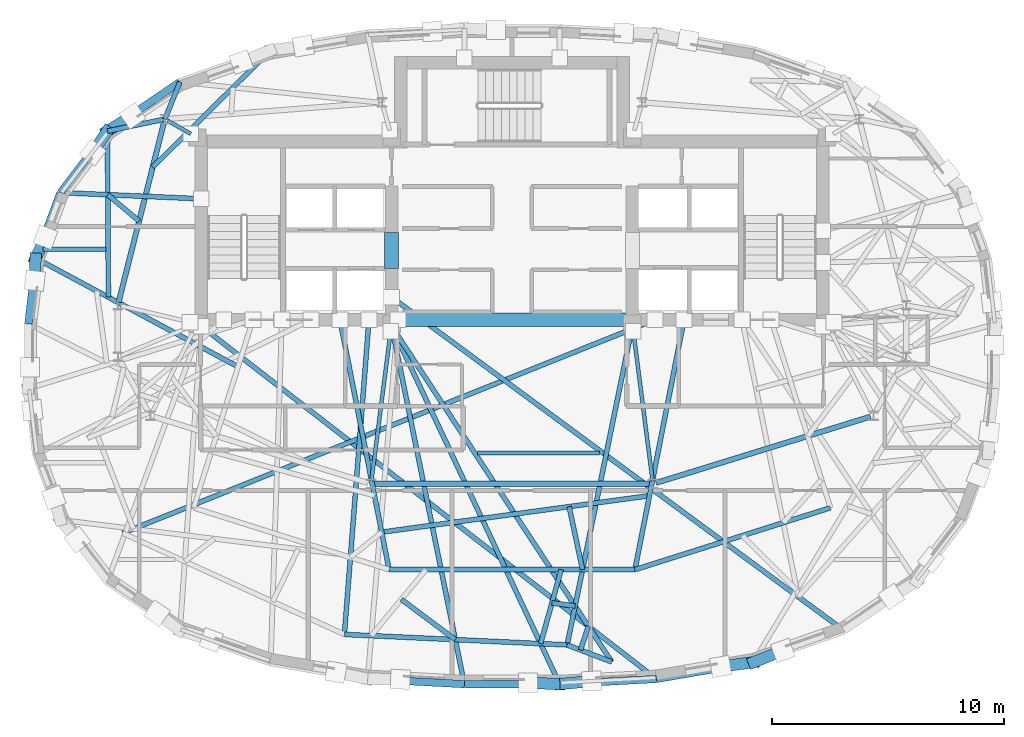
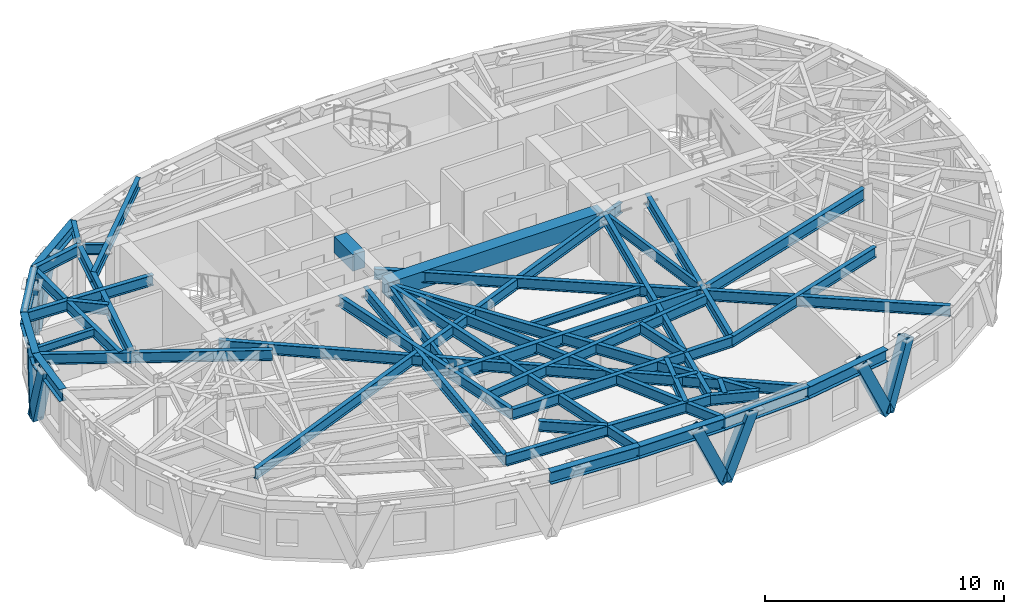
# One storey, part 2 of 12: 45 beams, 8 members.
"""IFC4 building model written with IfcOpenShell, lengths in metres."""

from ifc_helpers import new_model, si_unit, direction, frame, origin, origin_2d, place, context, subcontext, project, spatial, rectangle, hollow_rectangle, i_section, extrude, material, material_profile, profile_set, type_object, element, save


model = new_model("IFC4")

# Units and contexts
model_context = context("Model", 3, precision=1e-05, world=origin(), true_north=direction((0.0, 1.0)))
body_context = subcontext(model_context, "Body", "Model", "MODEL_VIEW")
ifc_project = project(units=[si_unit("LENGTHUNIT", "METRE"), si_unit("AREAUNIT", "SQUARE_METRE"), si_unit("VOLUMEUNIT", "CUBIC_METRE"), si_unit("PLANEANGLEUNIT", "RADIAN"), si_unit("MASSUNIT", "GRAM", prefix="KILO")], contexts=[model_context])

# Site, building, storey
site_placement = place(None, origin())
site = spatial("IfcSite", under=ifc_project, at=site_placement, CompositionType="ELEMENT")
building_placement = place(site_placement, origin())
building = spatial("IfcBuilding", under=site, at=building_placement, Name="Keldmark Tower", CompositionType="ELEMENT")
storey_placement = place(building_placement, frame((0.0, 0.0, 254.10009765625)))
storey = spatial("IfcBuildingStorey", under=building, at=storey_placement, Name="L72", CompositionType="ELEMENT", Elevation=254.10009765625)

# Beams
ifc_material_1 = material(Name="Steel ASTM A992 Grade 50", Category="steel")
ifc_material_profile_1 = material_profile(ifc_material_1, i_section(OverallWidth=0.177978515625, OverallDepth=0.403076171875, WebThickness=0.007568359375, FlangeThickness=0.010986328125, at=origin_2d()), Name="W16X36")
ifc_profile_set_1 = profile_set([ifc_material_profile_1], Name="Steel ASTM A992 Grade 50")
beam_type_1 = type_object("IfcBeamType", Name="Composite Floor Joist W16X36", PredefinedType="JOIST", material=ifc_profile_set_1)
beam_1_placement = place(storey_placement, frame((-1.4912109375, -4.179931640625, 2.768310546875), z_axis=(1.0, 0.0, 0.0), x_axis=(0.0, 1.0, 0.0)))
element("IfcBeam", 1, at=beam_1_placement, inside=storey, type_object=beam_type_1, Name="L72 Composite Floor Joist J04", PredefinedType="JOIST", context=body_context, shape_type="SweptSolid", body=[
    extrude(i_section(OverallWidth=0.177978515625, OverallDepth=0.403076171875, WebThickness=0.007568359375, FlangeThickness=0.010986328125, at=origin_2d()), origin(), (0.0, 0.0, 1.0), 5.26025390625),
])
beam_2_placement = place(storey_placement, frame((-20.24951171875, 4.6201171875, 2.768310546875), z_axis=(1.0, 0.0, 0.0), x_axis=(0.0, 1.0, 0.0)))
element("IfcBeam", 2, at=beam_2_placement, inside=storey, type_object=beam_type_1, Name="L72 Composite Floor Joist J05", PredefinedType="JOIST", context=body_context, shape_type="SweptSolid", body=[
    extrude(i_section(OverallWidth=0.177978515625, OverallDepth=0.403076171875, WebThickness=0.007568359375, FlangeThickness=0.010986328125, at=origin_2d()), origin(), (0.0, 0.0, 1.0), 2.70751953125),
])
ifc_material_2 = material(Name="Concrete C50/60", Category="concrete")
ifc_material_profile_2 = material_profile(ifc_material_2, rectangle(XDim=0.60009765625, YDim=0.85009765625, at=origin_2d()), Name="RCB600X850")
ifc_profile_set_2 = profile_set([ifc_material_profile_2], Name="Concrete C50/60")
beam_type_2 = type_object("IfcBeamType", Name="Core Coupling Beam RCB600X850", PredefinedType="USERDEFINED", material=ifc_profile_set_2)
beam_3_placement = place(storey_placement, frame((-5.199951171875, 3.800048828125, 2.544921875), z_axis=(0.0, 1.0, 0.0), x_axis=(-1.0, 0.0, 0.0)))
element("IfcBeam", 3, at=beam_3_placement, inside=storey, type_object=beam_type_2, Name="L72 West Core Coupling Beam", ObjectType="COUPLING BEAM", PredefinedType="USERDEFINED", context=body_context, shape_type="SweptSolid", body=[
    extrude(rectangle(XDim=0.60009765625, YDim=0.85009765625, at=origin_2d()), origin(), (0.0, 0.0, 1.0), 1.550048828125),
])
beam_4_placement = place(storey_placement, frame((-5.199951171875, 1.574951171875, 2.544921875), z_axis=(1.0, 0.0, 0.0), x_axis=(0.0, 1.0, 0.0)))
element("IfcBeam", 4, at=beam_4_placement, inside=storey, type_object=beam_type_2, Name="L72 Central South Core Coupling Beam", ObjectType="COUPLING BEAM", PredefinedType="USERDEFINED", context=body_context, shape_type="SweptSolid", body=[
    extrude(rectangle(XDim=0.60009765625, YDim=0.85009765625, at=origin_2d()), origin(), (0.0, 0.0, 1.0), 10.39990234375),
])

# Members
ifc_material_3 = material(Name="Steel ASTM A572 Grade 50", Category="steel")
ifc_material_profile_3 = material_profile(ifc_material_3, hollow_rectangle(XDim=0.5, YDim=0.5, WallThickness=0.030029296875, at=origin_2d()), Name="BOX500X500X30")
ifc_profile_set_3 = profile_set([ifc_material_profile_3], Name="Steel ASTM A572 Grade 50")
member_type = type_object("IfcMemberType", Name="Diagrid Upper Brace BOX500X500X30", PredefinedType="BRACE", material=ifc_profile_set_3)
member_1_placement = place(storey_placement, frame((-17.4990234375, 9.711669921875, -0.260009765625), z_axis=(0.328433608383, 0.199944467239, 0.923121646862), x_axis=(-0.520000758543, 0.854165798375, 0.0)))
element("IfcMember", 5, at=member_1_placement, inside=storey, type_object=member_type, Name="L72 Perimeter Diagrid Brace 06B", PredefinedType="BRACE", context=body_context, shape_type="SweptSolid", body=[
    extrude(hollow_rectangle(XDim=0.5, YDim=0.5, WallThickness=0.030029296875, at=origin_2d()), origin(), (0.0, 0.0, 1.0), 3.368896484375),
])
member_2_placement = place(storey_placement, frame((-17.49072265625, 9.719970703125, -0.260009765625), z_axis=(-0.186097563926, -0.278702552016, 0.942174391607), x_axis=(0.831642601649, -0.555311248871, 0.0)))
element("IfcMember", 6, at=member_2_placement, inside=storey, type_object=member_type, Name="L72 Perimeter Diagrid Brace 07A", PredefinedType="BRACE", context=body_context, shape_type="SweptSolid", body=[
    extrude(hollow_rectangle(XDim=0.5, YDim=0.5, WallThickness=0.030029296875, at=origin_2d()), origin(), (0.0, 0.0, 1.0), 3.30078125),
])
member_3_placement = place(storey_placement, frame((-20.583984375, 4.216064453125, -0.260009765625), z_axis=(0.131007306033, 0.284159842512, 0.949784327976), x_axis=(-0.908133666455, 0.418680360001, 0.0)))
element("IfcMember", 7, at=member_3_placement, inside=storey, type_object=member_type, Name="L72 Perimeter Diagrid Brace 07B", PredefinedType="BRACE", context=body_context, shape_type="SweptSolid", body=[
    extrude(hollow_rectangle(XDim=0.5, YDim=0.5, WallThickness=0.030029296875, at=origin_2d()), origin(), (0.0, 0.0, 1.0), 3.274169921875),
])
member_4_placement = place(storey_placement, frame((-20.57958984375, 4.22705078125, -0.260009765625), z_axis=(-0.010425746481, -0.295071127019, 0.95541840772), x_axis=(0.999376373603, -0.03531095982, 0.0)))
element("IfcMember", 8, at=member_4_placement, inside=storey, type_object=member_type, Name="L72 Perimeter Diagrid Brace 08A", PredefinedType="BRACE", context=body_context, shape_type="SweptSolid", body=[
    extrude(hollow_rectangle(XDim=0.5, YDim=0.5, WallThickness=0.030029296875, at=origin_2d()), origin(), (0.0, 0.0, 1.0), 3.2548828125),
])
member_5_placement = place(storey_placement, frame((2.0712890625, -14.1591796875, -0.260009765625), z_axis=(-0.405407288918, 0.016001031049, 0.913996114378), x_axis=(-0.039438319915, -0.999222006824, 0.0)))
element("IfcMember", 9, at=member_5_placement, inside=storey, type_object=member_type, Name="L72 Perimeter Diagrid Brace 12B", PredefinedType="BRACE", context=body_context, shape_type="SweptSolid", body=[
    extrude(hollow_rectangle(XDim=0.5, YDim=0.5, WallThickness=0.030029296875, at=origin_2d()), origin(), (0.0, 0.0, 1.0), 3.402587890625),
])
member_6_placement = place(storey_placement, frame((2.0595703125, -14.1591796875, -0.260009765625), z_axis=(0.406603272819, 0.037980214063, 0.912815031577), x_axis=(-0.093003675651, 0.995665765363, 0.0)))
element("IfcMember", 10, at=member_6_placement, inside=storey, type_object=member_type, Name="L72 Perimeter Diagrid Brace 13A", PredefinedType="BRACE", context=body_context, shape_type="SweptSolid", body=[
    extrude(hollow_rectangle(XDim=0.5, YDim=0.5, WallThickness=0.030029296875, at=origin_2d()), origin(), (0.0, 0.0, 1.0), 3.406982421875),
])
member_7_placement = place(storey_placement, frame((10.445068359375, -13.213623046875, -0.260009765625), z_axis=(-0.417994718751, -0.055595006019, 0.906746717889), x_axis=(0.131843041976, -0.991270604972, 0.0)))
element("IfcMember", 11, at=member_7_placement, inside=storey, type_object=member_type, Name="L72 Perimeter Diagrid Brace 13B", PredefinedType="BRACE", context=body_context, shape_type="SweptSolid", body=[
    extrude(hollow_rectangle(XDim=0.5, YDim=0.5, WallThickness=0.030029296875, at=origin_2d()), origin(), (0.0, 0.0, 1.0), 3.4296875),
])
member_8_placement = place(storey_placement, frame((10.43408203125, -13.218017578125, -0.260009765625), z_axis=(0.373354455689, 0.149083007528, 0.915631316242), x_axis=(-0.370835706731, 0.928698486385, 0.0)))
element("IfcMember", 12, at=member_8_placement, inside=storey, type_object=member_type, Name="L72 Perimeter Diagrid Brace 14A", PredefinedType="BRACE", context=body_context, shape_type="SweptSolid", body=[
    extrude(hollow_rectangle(XDim=0.5, YDim=0.5, WallThickness=0.030029296875, at=origin_2d()), origin(), (0.0, 0.0, 1.0), 3.396484375),
])

# Beams
ifc_material_4 = material(Name="Steel ASTM A992 Grade 50", Category="steel")
ifc_material_profile_4 = material_profile(ifc_material_4, i_section(OverallWidth=0.22802734375, OverallDepth=0.60302734375, WebThickness=0.010498046875, FlangeThickness=0.014892578125, at=origin_2d()), Name="W24X68")
ifc_profile_set_4 = profile_set([ifc_material_profile_4], Name="Steel ASTM A992 Grade 50")
beam_type_3 = type_object("IfcBeamType", Name="Primary Floor Girder W24X68", PredefinedType="BEAM", material=ifc_profile_set_4)
beam_5_placement = place(storey_placement, frame((-15.030029296875, 10.10791015625, 2.66845703125), z_axis=(-0.244902129455, -0.969547805417, 0.0), x_axis=(0.969547805417, -0.244902129455, 0.0)))
element("IfcBeam", 13, at=beam_5_placement, inside=storey, type_object=beam_type_3, Name="L72 Floor Ring Girder FG-R05", PredefinedType="BEAM", context=body_context, shape_type="SweptSolid", body=[
    extrude(i_section(OverallWidth=0.22802734375, OverallDepth=0.60302734375, WebThickness=0.010498046875, FlangeThickness=0.014892578125, at=origin_2d()), origin(), (0.0, 0.0, 1.0), 8.008056640625),
])
beam_6_placement = place(storey_placement, frame((-5.949462890625, -5.512939453125, 2.66845703125), z_axis=(1.0, 0.0, 0.0), x_axis=(0.0, 1.0, 0.0)))
element("IfcBeam", 14, at=beam_6_placement, inside=storey, type_object=beam_type_3, Name="L72 Floor Ring Girder FG-R09", PredefinedType="BEAM", context=body_context, shape_type="SweptSolid", body=[
    extrude(i_section(OverallWidth=0.22802734375, OverallDepth=0.60302734375, WebThickness=0.010498046875, FlangeThickness=0.014892578125, at=origin_2d()), origin(), (0.0, 0.0, 1.0), 11.89892578125),
])
beam_7_placement = place(storey_placement, frame((6.223388671875, -5.471435546875, 2.66845703125), z_axis=(0.955383255089, 0.295368982622, 0.0), x_axis=(-0.295368982622, 0.955383255089, 0.0)))
element("IfcBeam", 15, at=beam_7_placement, inside=storey, type_object=beam_type_3, Name="L72 Floor Ring Girder FG-R10", PredefinedType="BEAM", context=body_context, shape_type="SweptSolid", body=[
    extrude(i_section(OverallWidth=0.22802734375, OverallDepth=0.60302734375, WebThickness=0.010498046875, FlangeThickness=0.014892578125, at=origin_2d()), origin(), (0.0, 0.0, 1.0), 9.69140625),
])
ifc_material_5 = material(Name="Steel ASTM A992 Grade 50", Category="steel")
ifc_material_profile_5 = material_profile(ifc_material_5, i_section(OverallWidth=0.166015625, OverallDepth=0.529052734375, WebThickness=0.009765625, FlangeThickness=0.013671875, at=origin_2d()), Name="W21X50")
ifc_profile_set_5 = profile_set([ifc_material_profile_5], Name="Steel ASTM A992 Grade 50")
beam_type_4 = type_object("IfcBeamType", Name="Radial Tie Girder W21X50", PredefinedType="BEAM", material=ifc_profile_set_5)
beam_8_placement = place(storey_placement, frame((-14.8740234375, 10.174560546875, 2.705322265625), z_axis=(0.869238046195, -0.494393789451, 0.0), x_axis=(0.494393789451, 0.869238046195, 0.0)))
element("IfcBeam", 16, at=beam_8_placement, inside=storey, type_object=beam_type_4, Name="L72 Floor Radial Girder FG-C05", PredefinedType="BEAM", context=body_context, shape_type="SweptSolid", body=[
    extrude(i_section(OverallWidth=0.166015625, OverallDepth=0.529052734375, WebThickness=0.009765625, FlangeThickness=0.013671875, at=origin_2d()), origin(), (0.0, 0.0, 1.0), 1.145751953125),
])
for number, where, z_axis, x_axis, name in (
    (17, (-6.071533203125, -5.3740234375, 2.705322265625), (0.127625044513, 0.991822488157, 0.0), (-0.991822488157, 0.127625044513, 0.0), "L72 Floor Radial Girder FG-C09"),
    (18, (6.071533203125, -5.3740234375, 2.705322265625), (-0.127625044513, 0.991822488157, 0.0), (-0.991822488157, -0.127625044513, 0.0), "L72 Floor Radial Girder FG-C10"),
):
    element("IfcBeam", number, at=place(storey_placement, frame(where, z_axis=z_axis, x_axis=x_axis)), inside=storey, type_object=beam_type_4, Name=name, PredefinedType="BEAM", context=body_context, shape_type="SweptSolid", body=[
        extrude(i_section(OverallWidth=0.166015625, OverallDepth=0.529052734375, WebThickness=0.009765625, FlangeThickness=0.013671875, at=origin_2d()), origin(), (0.0, 0.0, 1.0), 6.509765625),
    ])
ifc_material_6 = material(Name="Steel ASTM A992 Grade 50", Category="steel")
ifc_material_profile_6 = material_profile(ifc_material_6, i_section(OverallWidth=0.2099609375, OverallDepth=0.537109375, WebThickness=0.010986328125, FlangeThickness=0.017333984375, at=origin_2d()), Name="W21X68")
ifc_profile_set_6 = profile_set([ifc_material_profile_6], Name="Steel ASTM A992 Grade 50")
beam_type_5 = type_object("IfcBeamType", Name="Radial Tie Girder W21X68", PredefinedType="BEAM", material=ifc_profile_set_6)
beam_9_placement = place(storey_placement, frame((-7.43212890625, 1.574951171875, 2.701416015625), z_axis=(0.192943742562, -0.981209820684, 0.0), x_axis=(0.981209820684, 0.192943742562, 0.0)))
element("IfcBeam", 19, at=beam_9_placement, inside=storey, type_object=beam_type_5, Name="L72 Sub-Ring Step Girder STP1-M09", PredefinedType="BEAM", context=body_context, shape_type="SweptSolid", body=[
    extrude(i_section(OverallWidth=0.2099609375, OverallDepth=0.537109375, WebThickness=0.010986328125, FlangeThickness=0.017333984375, at=origin_2d()), origin(), (0.0, 0.0, 1.0), 10.999755859375),
])
beam_10_placement = place(storey_placement, frame((-5.628173828125, -7.59912109375, 2.701416015625), z_axis=(0.990836784774, 0.135064673169, 0.0), x_axis=(-0.135064673169, 0.990836784774, 0.0)))
element("IfcBeam", 20, at=beam_10_placement, inside=storey, type_object=beam_type_5, Name="L72 Framing Pin Header PH-003", PredefinedType="BEAM", context=body_context, shape_type="SweptSolid", body=[
    extrude(i_section(OverallWidth=0.2099609375, OverallDepth=0.537109375, WebThickness=0.010986328125, FlangeThickness=0.017333984375, at=origin_2d()), origin(), (0.0, 0.0, 1.0), 11.67333984375),
])
beam_11_placement = place(storey_placement, frame((7.43212890625, 1.574951171875, 2.701416015625), z_axis=(-0.192943742562, -0.981209820684, 0.0), x_axis=(0.981209820684, -0.192943742562, 0.0)))
element("IfcBeam", 21, at=beam_11_placement, inside=storey, type_object=beam_type_5, Name="L72 Sub-Ring Step Girder STP1-M10", PredefinedType="BEAM", context=body_context, shape_type="SweptSolid", body=[
    extrude(i_section(OverallWidth=0.2099609375, OverallDepth=0.537109375, WebThickness=0.010986328125, FlangeThickness=0.017333984375, at=origin_2d()), origin(), (0.0, 0.0, 1.0), 10.999755859375),
])
beam_12_placement = place(storey_placement, frame((-5.309814453125, -9.218017578125, 2.701416015625), z_axis=(1.0, 0.0, 0.0), x_axis=(0.0, 1.0, 0.0)))
element("IfcBeam", 22, at=beam_12_placement, inside=storey, type_object=beam_type_5, Name="L72 Perimeter Collector Ring Beam CRG1-M09", PredefinedType="BEAM", context=body_context, shape_type="SweptSolid", body=[
    extrude(i_section(OverallWidth=0.2099609375, OverallDepth=0.537109375, WebThickness=0.010986328125, FlangeThickness=0.017333984375, at=origin_2d()), origin(), (0.0, 0.0, 1.0), 10.61962890625),
])
beam_13_placement = place(storey_placement, frame((5.309814453125, -9.218017578125, 2.701416015625), z_axis=(0.953373693216, 0.301792314488, 0.0), x_axis=(-0.301792314488, 0.953373693216, 0.0)))
element("IfcBeam", 23, at=beam_13_placement, inside=storey, type_object=beam_type_5, Name="L72 Perimeter Collector Ring Beam CRG1-M10", PredefinedType="BEAM", context=body_context, shape_type="SweptSolid", body=[
    extrude(i_section(OverallWidth=0.2099609375, OverallDepth=0.537109375, WebThickness=0.010986328125, FlangeThickness=0.017333984375, at=origin_2d()), origin(), (0.0, 0.0, 1.0), 8.855712890625),
])
beam_14_placement = place(storey_placement, frame((6.1787109375, 1.574951171875, 2.701416015625), z_axis=(-0.9282304133, -0.372005779289, 0.0), x_axis=(0.372005779289, -0.9282304133, 0.0)))
element("IfcBeam", 24, at=beam_14_placement, inside=storey, type_object=beam_type_5, Name="L72 Sub-Ring Step Girder STP2-M08", PredefinedType="BEAM", context=body_context, shape_type="SweptSolid", body=[
    extrude(i_section(OverallWidth=0.2099609375, OverallDepth=0.537109375, WebThickness=0.010986328125, FlangeThickness=0.017333984375, at=origin_2d()), origin(), (0.0, 0.0, 1.0), 24.769287109375),
])
beam_15_placement = place(storey_placement, frame((-6.1787109375, 1.574951171875, 2.701416015625), z_axis=(-0.077850953757, -0.996965008914, 0.0), x_axis=(0.996965008914, -0.077850953757, 0.0)))
element("IfcBeam", 25, at=beam_15_placement, inside=storey, type_object=beam_type_5, Name="L72 Sub-Ring Step Girder STP2-M09", PredefinedType="BEAM", context=body_context, shape_type="SweptSolid", body=[
    extrude(i_section(OverallWidth=0.2099609375, OverallDepth=0.537109375, WebThickness=0.010986328125, FlangeThickness=0.017333984375, at=origin_2d()), origin(), (0.0, 0.0, 1.0), 13.632080078125),
])
beam_16_placement = place(storey_placement, frame((2.46826171875, -6.495361328125, 2.701416015625), z_axis=(0.208043372931, -0.978119601572, 0.0), x_axis=(0.978119601572, 0.208043372931, 0.0)))
element("IfcBeam", 26, at=beam_16_placement, inside=storey, type_object=beam_type_5, Name="L72 Framing Pin Header PH-006", PredefinedType="BEAM", context=body_context, shape_type="SweptSolid", body=[
    extrude(i_section(OverallWidth=0.2099609375, OverallDepth=0.537109375, WebThickness=0.010986328125, FlangeThickness=0.017333984375, at=origin_2d()), origin(), (0.0, 0.0, 1.0), 2.783447265625),
])
beam_17_placement = place(storey_placement, frame((5.199951171875, 1.300048828125, 2.701416015625), z_axis=(-0.200510683298, -0.979691515674, 0.0), x_axis=(0.979691515674, -0.200510683298, 0.0)))
element("IfcBeam", 27, at=beam_17_placement, inside=storey, type_object=beam_type_5, Name="L72 Sub-Ring Step Girder STP2-M10", PredefinedType="BEAM", context=body_context, shape_type="SweptSolid", body=[
    extrude(i_section(OverallWidth=0.2099609375, OverallDepth=0.537109375, WebThickness=0.010986328125, FlangeThickness=0.017333984375, at=origin_2d()), origin(), (0.0, 0.0, 1.0), 14.053466796875),
])
beam_18_placement = place(storey_placement, frame((-7.239990234375, -12.015869140625, 2.701416015625), z_axis=(0.998897759123, -0.046938969093, 0.0), x_axis=(0.046938969093, 0.998897759123, 0.0)))
element("IfcBeam", 28, at=beam_18_placement, inside=storey, type_object=beam_type_5, Name="L72 Perimeter Collector Ring Beam CRG2-M09", PredefinedType="BEAM", context=body_context, shape_type="SweptSolid", body=[
    extrude(i_section(OverallWidth=0.2099609375, OverallDepth=0.537109375, WebThickness=0.010986328125, FlangeThickness=0.017333984375, at=origin_2d()), origin(), (0.0, 0.0, 1.0), 9.632568359375),
])
beam_19_placement = place(storey_placement, frame((-14.995849609375, 10.24365234375, 2.701416015625), z_axis=(0.377529645139, 0.925997498399, 0.0), x_axis=(-0.925997498399, 0.377529645139, 0.0)))
element("IfcBeam", 29, at=beam_19_placement, inside=storey, type_object=beam_type_5, Name="L72 Perimeter Column Bracket RT-12", PredefinedType="BEAM", context=body_context, shape_type="SweptSolid", body=[
    extrude(i_section(OverallWidth=0.2099609375, OverallDepth=0.537109375, WebThickness=0.010986328125, FlangeThickness=0.017333984375, at=origin_2d()), origin(), (0.0, 0.0, 1.0), 1.732421875),
])
beam_20_placement = place(storey_placement, frame((-14.995849609375, 10.24365234375, 2.701416015625), z_axis=(-0.978687595441, -0.205354791836, 0.0), x_axis=(0.205354791836, -0.978687595441, 0.0)))
element("IfcBeam", 30, at=beam_20_placement, inside=storey, type_object=beam_type_5, Name="L72 Perimeter Column Bracket RT-13", PredefinedType="BEAM", context=body_context, shape_type="SweptSolid", body=[
    extrude(i_section(OverallWidth=0.2099609375, OverallDepth=0.537109375, WebThickness=0.010986328125, FlangeThickness=0.017333984375, at=origin_2d()), origin(), (0.0, 0.0, 1.0), 2.533447265625),
])
beam_21_placement = place(storey_placement, frame((-17.475341796875, 9.723388671875, 2.701416015625), z_axis=(0.005752313011, -0.999983455311, 0.0), x_axis=(0.999983455311, 0.005752313011, 0.0)))
element("IfcBeam", 31, at=beam_21_placement, inside=storey, type_object=beam_type_5, Name="L72 Framing Pin Header PH-015", PredefinedType="BEAM", context=body_context, shape_type="SweptSolid", body=[
    extrude(i_section(OverallWidth=0.2099609375, OverallDepth=0.537109375, WebThickness=0.010986328125, FlangeThickness=0.017333984375, at=origin_2d()), origin(), (0.0, 0.0, 1.0), 7.172607421875),
])
beam_22_placement = place(storey_placement, frame((-11.8330078125, -0.455078125, 2.701416015625), z_axis=(-0.881132714183, 0.472869051638, 0.0), x_axis=(-0.472869051638, -0.881132714183, 0.0)))
element("IfcBeam", 32, at=beam_22_placement, inside=storey, type_object=beam_type_5, Name="L72 Perimeter Radial Tie Girder RT-15", PredefinedType="BEAM", context=body_context, shape_type="SweptSolid", body=[
    extrude(i_section(OverallWidth=0.2099609375, OverallDepth=0.537109375, WebThickness=0.010986328125, FlangeThickness=0.017333984375, at=origin_2d()), origin(), (0.0, 0.0, 1.0), 9.904541015625),
])
beam_23_placement = place(storey_placement, frame((-4.77978515625, -10.501708984375, 2.701416015625), z_axis=(0.801518375648, -0.59797014432, 0.0), x_axis=(0.59797014432, 0.801518375648, 0.0)))
element("IfcBeam", 33, at=beam_23_placement, inside=storey, type_object=beam_type_5, Name="L72 Framing Pin Header PH-023", PredefinedType="BEAM", context=body_context, shape_type="SweptSolid", body=[
    extrude(i_section(OverallWidth=0.2099609375, OverallDepth=0.537109375, WebThickness=0.010986328125, FlangeThickness=0.017333984375, at=origin_2d()), origin(), (0.0, 0.0, 1.0), 2.90869140625),
])
beam_24_placement = place(storey_placement, frame((-5.199951171875, 1.300048828125, 2.701416015625), z_axis=(0.199129106837, -0.979973264335, 0.0), x_axis=(0.979973264335, 0.199129106837, 0.0)))
element("IfcBeam", 34, at=beam_24_placement, inside=storey, type_object=beam_type_5, Name="L72 Perimeter Radial Tie Girder RT-24", PredefinedType="BEAM", context=body_context, shape_type="SweptSolid", body=[
    extrude(i_section(OverallWidth=0.2099609375, OverallDepth=0.537109375, WebThickness=0.010986328125, FlangeThickness=0.017333984375, at=origin_2d()), origin(), (0.0, 0.0, 1.0), 15.7802734375),
])
beam_25_placement = place(storey_placement, frame((2.123779296875, -9.218017578125, 2.701416015625), z_axis=(-0.267529984821, -0.963549535427, 0.0), x_axis=(0.963549535427, -0.267529984821, 0.0)))
element("IfcBeam", 35, at=beam_25_placement, inside=storey, type_object=beam_type_5, Name="L72 Framing Pin Header PH-024", PredefinedType="BEAM", context=body_context, shape_type="SweptSolid", body=[
    extrude(i_section(OverallWidth=0.2099609375, OverallDepth=0.537109375, WebThickness=0.010986328125, FlangeThickness=0.017333984375, at=origin_2d()), origin(), (0.0, 0.0, 1.0), 3.317138671875),
])
beam_26_placement = place(storey_placement, frame((-5.199951171875, 1.300048828125, 2.701416015625), z_axis=(0.424849057249, -0.90526420373, 0.0), x_axis=(0.90526420373, 0.424849057249, 0.0)))
element("IfcBeam", 36, at=beam_26_placement, inside=storey, type_object=beam_type_5, Name="L72 Perimeter Radial Tie Girder RT-25", PredefinedType="BEAM", context=body_context, shape_type="SweptSolid", body=[
    extrude(i_section(OverallWidth=0.2099609375, OverallDepth=0.537109375, WebThickness=0.010986328125, FlangeThickness=0.017333984375, at=origin_2d()), origin(), (0.0, 0.0, 1.0), 17.082763671875),
])
beam_27_placement = place(storey_placement, frame((1.724609375, -10.65625, 2.701416015625), z_axis=(0.991379256749, -0.131023544784, 0.0), x_axis=(0.131023544784, 0.991379256749, 0.0)))
element("IfcBeam", 37, at=beam_27_placement, inside=storey, type_object=beam_type_5, Name="L72 Framing Pin Header PH-025", PredefinedType="BEAM", context=body_context, shape_type="SweptSolid", body=[
    extrude(i_section(OverallWidth=0.2099609375, OverallDepth=0.537109375, WebThickness=0.010986328125, FlangeThickness=0.017333984375, at=origin_2d()), origin(), (0.0, 0.0, 1.0), 1.010009765625),
])
beam_28_placement = place(storey_placement, frame((-5.199951171875, 1.300048828125, 2.701416015625), z_axis=(0.54830709573, -0.836277064598, 0.0), x_axis=(0.836277064598, 0.54830709573, 0.0)))
element("IfcBeam", 38, at=beam_28_placement, inside=storey, type_object=beam_type_5, Name="L72 Intermediate Radial Step Girder RT-26M", PredefinedType="BEAM", context=body_context, shape_type="SweptSolid", body=[
    extrude(i_section(OverallWidth=0.2099609375, OverallDepth=0.537109375, WebThickness=0.010986328125, FlangeThickness=0.017333984375, at=origin_2d()), origin(), (0.0, 0.0, 1.0), 17.343505859375),
])
beam_29_placement = place(storey_placement, frame((2.382080078125, -12.468017578125, 2.701416015625), z_axis=(0.934236309017, -0.356654621327, 0.0), x_axis=(0.356654621327, 0.934236309017, 0.0)))
element("IfcBeam", 39, at=beam_29_placement, inside=storey, type_object=beam_type_5, Name="L72 Local Collector Chord RT-26C", PredefinedType="BEAM", context=body_context, shape_type="SweptSolid", body=[
    extrude(i_section(OverallWidth=0.2099609375, OverallDepth=0.537109375, WebThickness=0.010986328125, FlangeThickness=0.017333984375, at=origin_2d()), origin(), (0.0, 0.0, 1.0), 2.063232421875),
])
beam_30_placement = place(storey_placement, frame((2.96044921875, -12.688720703125, 2.701416015625), z_axis=(0.313108527762, 0.949717352607, 0.0), x_axis=(-0.949717352607, 0.313108527762, 0.0)))
element("IfcBeam", 40, at=beam_30_placement, inside=storey, type_object=beam_type_5, Name="L72 Framing Pin Header PH-026", PredefinedType="BEAM", context=body_context, shape_type="SweptSolid", body=[
    extrude(i_section(OverallWidth=0.2099609375, OverallDepth=0.537109375, WebThickness=0.010986328125, FlangeThickness=0.017333984375, at=origin_2d()), origin(), (0.0, 0.0, 1.0), 1.080810546875),
])
beam_31_placement = place(storey_placement, frame((-13.425048828125, 1.300048828125, 2.701416015625), z_axis=(0.790380005934, -0.61261688372, 0.0), x_axis=(0.61261688372, 0.790380005934, 0.0)))
element("IfcBeam", 41, at=beam_31_placement, inside=storey, type_object=beam_type_5, Name="L72 Perimeter Radial Tie Girder RT-26", PredefinedType="BEAM", context=body_context, shape_type="SweptSolid", body=[
    extrude(i_section(OverallWidth=0.2099609375, OverallDepth=0.537109375, WebThickness=0.010986328125, FlangeThickness=0.017333984375, at=origin_2d()), origin(), (0.0, 0.0, 1.0), 24.87646484375),
])
beam_32_placement = place(storey_placement, frame((-5.199951171875, 2.550048828125, 2.701416015625), z_axis=(0.805080106123, -0.593166100452, 0.0), x_axis=(0.593166100452, 0.805080106123, 0.0)))
element("IfcBeam", 42, at=beam_32_placement, inside=storey, type_object=beam_type_5, Name="L72 Perimeter Radial Tie Girder RT-28", PredefinedType="BEAM", context=body_context, shape_type="SweptSolid", body=[
    extrude(i_section(OverallWidth=0.2099609375, OverallDepth=0.537109375, WebThickness=0.010986328125, FlangeThickness=0.017333984375, at=origin_2d()), origin(), (0.0, 0.0, 1.0), 24.27294921875),
])
beam_33_placement = place(storey_placement, frame((-15.5205078125, 8.1669921875, 2.701416015625), z_axis=(0.7098732277, 0.704329468783, 0.0), x_axis=(-0.704329468783, 0.7098732277, 0.0)))
element("IfcBeam", 43, at=beam_33_placement, inside=storey, type_object=beam_type_5, Name="L72 Perimeter Radial Tie Girder RT-11R", PredefinedType="BEAM", context=body_context, shape_type="SweptSolid", body=[
    extrude(i_section(OverallWidth=0.2099609375, OverallDepth=0.537109375, WebThickness=0.010986328125, FlangeThickness=0.017333984375, at=origin_2d()), origin(), (0.0, 0.0, 1.0), 7.17822265625),
])
beam_34_placement = place(storey_placement, frame((-16.10888671875, 5.837646484375, 2.701416015625), z_axis=(-0.764187237691, 0.64499446955, 0.0), x_axis=(-0.64499446955, -0.764187237691, 0.0)))
element("IfcBeam", 44, at=beam_34_placement, inside=storey, type_object=beam_type_5, Name="L72 Framing Pin Header PH-033", PredefinedType="BEAM", context=body_context, shape_type="SweptSolid", body=[
    extrude(i_section(OverallWidth=0.2099609375, OverallDepth=0.537109375, WebThickness=0.010986328125, FlangeThickness=0.017333984375, at=origin_2d()), origin(), (0.0, 0.0, 1.0), 1.767578125),
])
beam_35_placement = place(storey_placement, frame((-13.425048828125, 6.800048828125, 2.701416015625), z_axis=(-0.999032387961, 0.04398053893, 0.0), x_axis=(-0.04398053893, -0.999032387961, 0.0)))
element("IfcBeam", 45, at=beam_35_placement, inside=storey, type_object=beam_type_5, Name="L72 Perimeter Radial Tie Girder RT-14R", PredefinedType="BEAM", context=body_context, shape_type="SweptSolid", body=[
    extrude(i_section(OverallWidth=0.2099609375, OverallDepth=0.537109375, WebThickness=0.010986328125, FlangeThickness=0.017333984375, at=origin_2d()), origin(), (0.0, 0.0, 1.0), 6.083984375),
])
ifc_material_7 = material(Name="Steel ASTM A992 Grade 50", Category="steel")
ifc_material_profile_7 = material_profile(ifc_material_7, i_section(OverallWidth=0.326904296875, OverallDepth=0.6220703125, WebThickness=0.015380859375, FlangeThickness=0.0244140625, at=origin_2d()), Name="W24X131")
ifc_profile_set_7 = profile_set([ifc_material_profile_7], Name="Steel ASTM A992 Grade 50")
beam_type_6 = type_object("IfcBeamType", Name="Spandrel Ring Beam W24X131", PredefinedType="SPANDREL", material=ifc_profile_set_7)
beam_36_placement = place(storey_placement, frame((-14.341796875, 11.847900390625, 2.658935546875), z_axis=(-0.827699359908, -0.561171782619, 0.0), x_axis=(0.561171782619, -0.827699359908, 0.0)))
element("IfcBeam", 46, at=beam_36_placement, inside=storey, type_object=beam_type_6, Name="L72 Perimeter Spandrel Ring Beam SRB-12", PredefinedType="SPANDREL", context=body_context, shape_type="SweptSolid", body=[
    extrude(i_section(OverallWidth=0.326904296875, OverallDepth=0.6220703125, WebThickness=0.015380859375, FlangeThickness=0.0244140625, at=origin_2d()), origin(), (0.0, 0.0, 1.0), 3.785888671875),
])
beam_37_placement = place(storey_placement, frame((-17.475341796875, 9.723388671875, 2.658935546875), z_axis=(-0.606875003028, -0.794797289061, 0.0), x_axis=(0.794797289061, -0.606875003028, 0.0)))
element("IfcBeam", 47, at=beam_37_placement, inside=storey, type_object=beam_type_6, Name="L72 Perimeter Spandrel Ring Beam SRB-13", PredefinedType="SPANDREL", context=body_context, shape_type="SweptSolid", body=[
    extrude(i_section(OverallWidth=0.326904296875, OverallDepth=0.6220703125, WebThickness=0.015380859375, FlangeThickness=0.0244140625, at=origin_2d()), origin(), (0.0, 0.0, 1.0), 3.341552734375),
])
beam_38_placement = place(storey_placement, frame((-19.503173828125, 7.067626953125, 2.658935546875), z_axis=(-0.348941123734, -0.937144648476, 0.0), x_axis=(0.937144648476, -0.348941123734, 0.0)))
element("IfcBeam", 48, at=beam_38_placement, inside=storey, type_object=beam_type_6, Name="L72 Perimeter Spandrel Ring Beam SRB-14", PredefinedType="SPANDREL", context=body_context, shape_type="SweptSolid", body=[
    extrude(i_section(OverallWidth=0.326904296875, OverallDepth=0.6220703125, WebThickness=0.015380859375, FlangeThickness=0.0244140625, at=origin_2d()), origin(), (0.0, 0.0, 1.0), 3.029541015625),
])
beam_39_placement = place(storey_placement, frame((-20.560302734375, 4.228515625, 2.658935546875), z_axis=(-0.116300017341, -0.99321412896, 0.0), x_axis=(0.99321412896, -0.116300017341, 0.0)))
element("IfcBeam", 49, at=beam_39_placement, inside=storey, type_object=beam_type_6, Name="L72 Perimeter Spandrel Ring Beam SRB-15", PredefinedType="SPANDREL", context=body_context, shape_type="SweptSolid", body=[
    extrude(i_section(OverallWidth=0.326904296875, OverallDepth=0.6220703125, WebThickness=0.015380859375, FlangeThickness=0.0244140625, at=origin_2d()), origin(), (0.0, 0.0, 1.0), 2.852783203125),
])
beam_40_placement = place(storey_placement, frame((-6.23681640625, -13.939697265625, 2.658935546875), z_axis=(0.998558880418, -0.053667143941, 0.0), x_axis=(0.053667143941, 0.998558880418, 0.0)))
element("IfcBeam", 50, at=beam_40_placement, inside=storey, type_object=beam_type_6, Name="L72 Perimeter Spandrel Ring Beam SRB-23", PredefinedType="SPANDREL", context=body_context, shape_type="SweptSolid", body=[
    extrude(i_section(OverallWidth=0.326904296875, OverallDepth=0.6220703125, WebThickness=0.015380859375, FlangeThickness=0.0244140625, at=origin_2d()), origin(), (0.0, 0.0, 1.0), 4.185302734375),
])
beam_41_placement = place(storey_placement, frame((-2.0576171875, -14.164306640625, 2.658935546875), z_axis=(1.0, 0.0, 0.0), x_axis=(0.0, 1.0, 0.0)))
element("IfcBeam", 51, at=beam_41_placement, inside=storey, type_object=beam_type_6, Name="L72 Perimeter Spandrel Ring Beam SRB-24", PredefinedType="SPANDREL", context=body_context, shape_type="SweptSolid", body=[
    extrude(i_section(OverallWidth=0.326904296875, OverallDepth=0.6220703125, WebThickness=0.015380859375, FlangeThickness=0.0244140625, at=origin_2d()), origin(), (0.0, 0.0, 1.0), 4.115234375),
])
beam_42_placement = place(storey_placement, frame((2.0576171875, -14.164306640625, 2.658935546875), z_axis=(0.998558880418, 0.053667143941, 0.0), x_axis=(-0.053667143941, 0.998558880418, 0.0)))
element("IfcBeam", 52, at=beam_42_placement, inside=storey, type_object=beam_type_6, Name="L72 Perimeter Spandrel Ring Beam SRB-25", PredefinedType="SPANDREL", context=body_context, shape_type="SweptSolid", body=[
    extrude(i_section(OverallWidth=0.326904296875, OverallDepth=0.6220703125, WebThickness=0.015380859375, FlangeThickness=0.0244140625, at=origin_2d()), origin(), (0.0, 0.0, 1.0), 4.185302734375),
])
beam_43_placement = place(storey_placement, frame((6.23681640625, -13.939697265625, 2.658935546875), z_axis=(0.985667057966, 0.168702254995, 0.0), x_axis=(-0.168702254995, 0.985667057966, 0.0)))
element("IfcBeam", 53, at=beam_43_placement, inside=storey, type_object=beam_type_6, Name="L72 Perimeter Spandrel Ring Beam SRB-26", PredefinedType="SPANDREL", context=body_context, shape_type="SweptSolid", body=[
    extrude(i_section(OverallWidth=0.326904296875, OverallDepth=0.6220703125, WebThickness=0.015380859375, FlangeThickness=0.0244140625, at=origin_2d()), origin(), (0.0, 0.0, 1.0), 4.248779296875),
])

save(model, "model.ifc")
